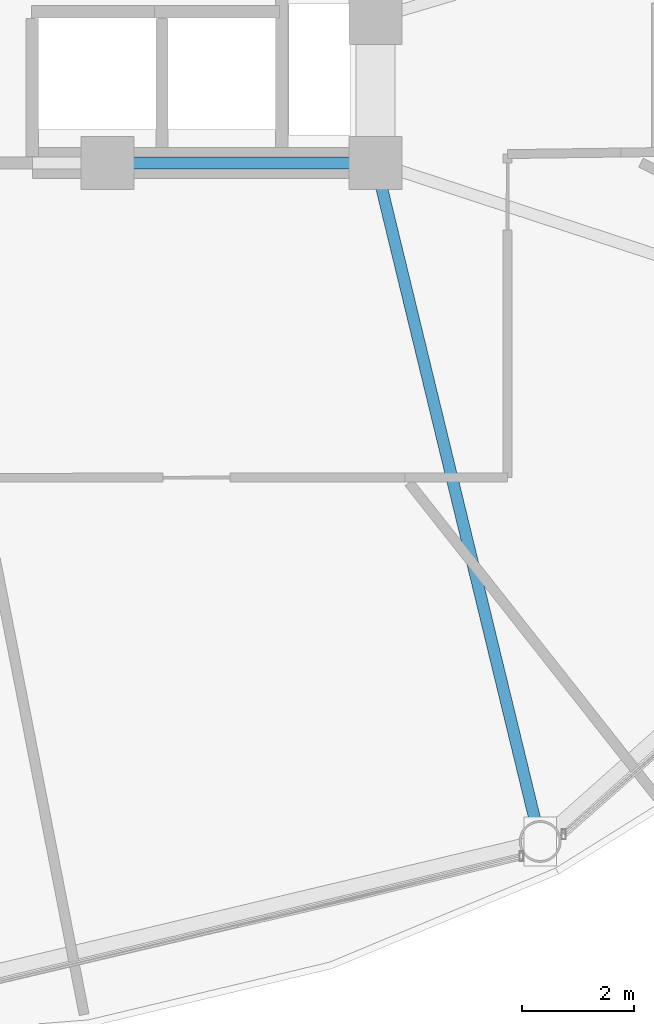
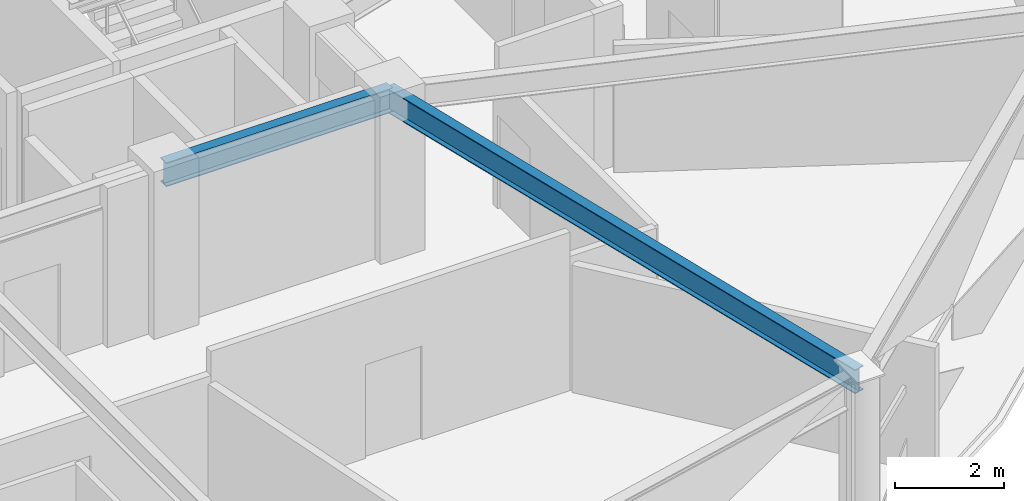
# One storey, part 10 of 30: 2 beams.
"""IFC4 building model written with IfcOpenShell, lengths in metres."""

from ifc_helpers import new_model, si_unit, direction, frame, origin, origin_2d, place, context, subcontext, project, spatial, i_section, extrude, material, material_profile, profile_set, type_object, element, save


model = new_model("IFC4")

# Units and contexts
model_context = context("Model", 3, precision=1e-05, world=origin(), true_north=direction((0.0, 1.0)))
body_context = subcontext(model_context, "Body", "Model", "MODEL_VIEW")
ifc_project = project(units=[si_unit("LENGTHUNIT", "METRE"), si_unit("AREAUNIT", "SQUARE_METRE"), si_unit("VOLUMEUNIT", "CUBIC_METRE"), si_unit("PLANEANGLEUNIT", "RADIAN"), si_unit("MASSUNIT", "GRAM", prefix="KILO")], contexts=[model_context])

# Site, building, storey
site_placement = place(None, origin())
site = spatial("IfcSite", under=ifc_project, at=site_placement, CompositionType="ELEMENT")
building_placement = place(site_placement, origin())
building = spatial("IfcBuilding", under=site, at=building_placement, Name="Vantalir Tower", CompositionType="ELEMENT")
storey_placement = place(building_placement, frame((0.0, 0.0, 130.949951171875)))
storey = spatial("IfcBuildingStorey", under=building, at=storey_placement, Name="L32", CompositionType="ELEMENT", Elevation=130.949951171875)

# Beams
ifc_material = material(Name="Steel S355", Category="steel")
ifc_material_profile = material_profile(ifc_material, i_section(OverallWidth=0.2109375, OverallDepth=0.5390625, WebThickness=0.01171875, FlangeThickness=0.018798828125, at=origin_2d()), Name="Steel S355")
ifc_profile_set = profile_set([ifc_material_profile], Name="Steel S355")
beam_type = type_object("IfcBeamType", Name="BM-RB-533x210", PredefinedType="BEAM", material=ifc_profile_set)
beam_1_placement = place(storey_placement, frame((36.300048828125, 17.800048828125, 3.301025390625), z_axis=(1.0, 0.0, 0.0), x_axis=(0.0, 1.0, 0.0)))
element("IfcBeam", 1, at=beam_1_placement, inside=storey, type_object=beam_type, Name="L32 Core Coupling Girder 04", PredefinedType="BEAM", context=body_context, shape_type="SweptSolid", body=[
    extrude(i_section(OverallWidth=0.2109375, OverallDepth=0.5390625, WebThickness=0.01171875, FlangeThickness=0.018798828125, at=origin_2d()), origin(), (0.0, 0.0, 1.0), 4.800048828125),
])
beam_2_placement = place(storey_placement, frame((44.047119140625, 5.64892578125, 3.301025390625), z_axis=(-0.235697823561, 0.971826391887, 0.0), x_axis=(-0.971826391887, -0.235697823561, 0.0)))
element("IfcBeam", 2, at=beam_2_placement, inside=storey, type_object=beam_type, Name="L32 Radial Floor Beam 11", PredefinedType="BEAM", context=body_context, shape_type="SweptSolid", body=[
    extrude(i_section(OverallWidth=0.2109375, OverallDepth=0.5390625, WebThickness=0.01171875, FlangeThickness=0.018798828125, at=origin_2d()), origin(), (0.0, 0.0, 1.0), 12.50341796875),
])

save(model, "model.ifc")
